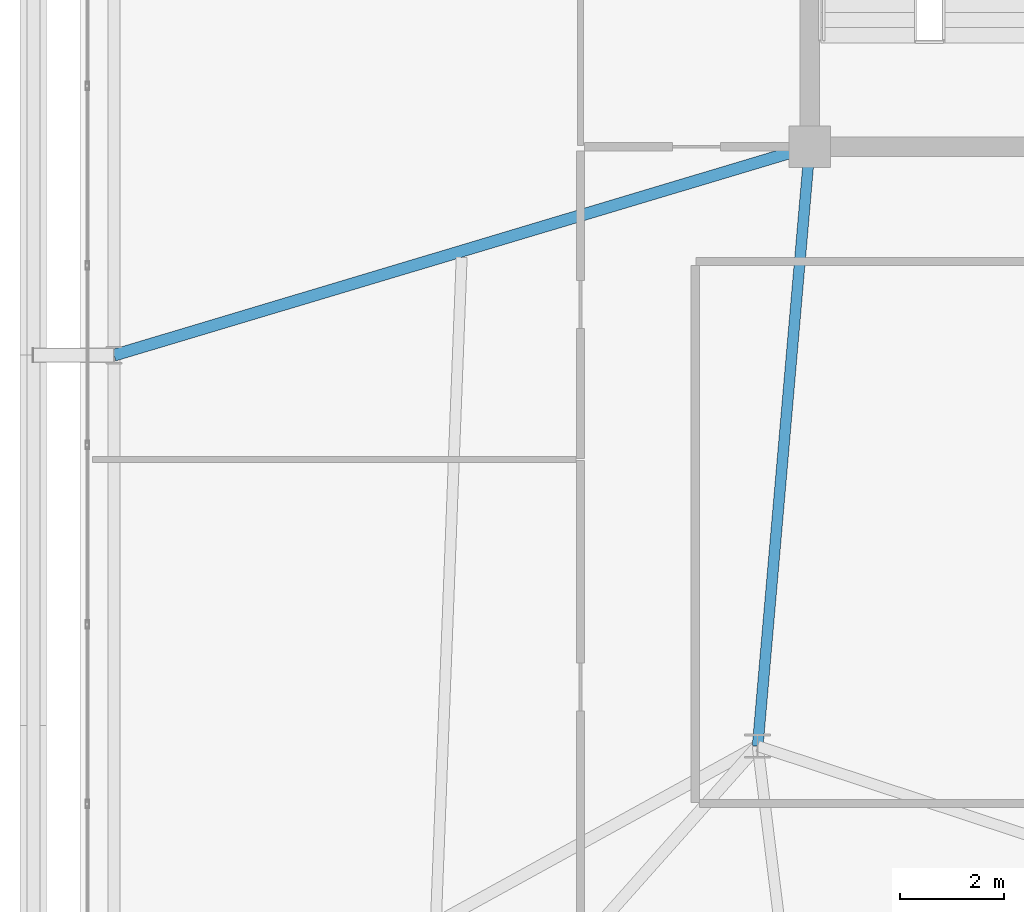
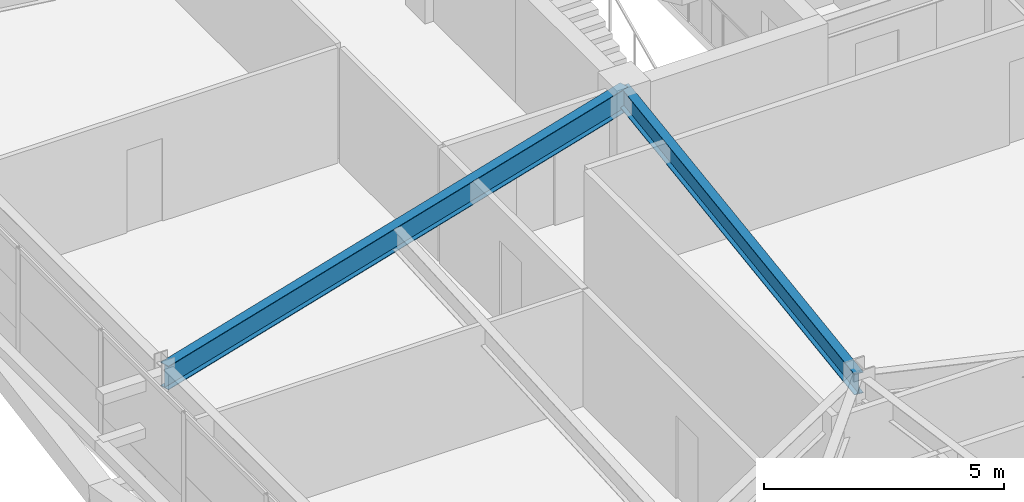
# One storey, part 15 of 58: 2 beams.
"""IFC4 building model written with IfcOpenShell, lengths in metres."""

from ifc_helpers import new_model, si_unit, direction, frame, origin, origin_2d, place, context, subcontext, project, spatial, i_section, extrude, source, transform, mapped, material, material_profile, profile_set, type_object, element, save


model = new_model("IFC4")

# Units and contexts
model_context = context("Model", 3, precision=1e-05, world=origin(), true_north=direction((0.0, 1.0)))
body_context = subcontext(model_context, "Body", "Model", "MODEL_VIEW")
ifc_project = project(units=[si_unit("LENGTHUNIT", "METRE"), si_unit("AREAUNIT", "SQUARE_METRE"), si_unit("VOLUMEUNIT", "CUBIC_METRE"), si_unit("PLANEANGLEUNIT", "RADIAN"), si_unit("MASSUNIT", "GRAM", prefix="KILO")], contexts=[model_context])

# Site, building, storey
site_placement = place(None, origin())
site = spatial("IfcSite", under=ifc_project, at=site_placement, CompositionType="ELEMENT")
building_placement = place(site_placement, origin())
building = spatial("IfcBuilding", under=site, at=building_placement, Name="Taldren Reach Tower", CompositionType="ELEMENT")
storey_placement = place(building_placement, frame((0.0, 0.0, 51.449951171875)))
storey = spatial("IfcBuildingStorey", under=building, at=storey_placement, Name="L15", CompositionType="ELEMENT", Elevation=51.449951171875)

# Beams
ifc_material = material(Name="Steel Gr 350 (350PLUS)", Category="steel")
ifc_material_profile_1 = material_profile(ifc_material, i_section(OverallWidth=0.208984375, OverallDepth=0.532958984375, WebThickness=0.01025390625, FlangeThickness=0.015625, at=origin_2d()), Name="530UB92.4")
ifc_profile_set_1 = profile_set([ifc_material_profile_1], Name="Steel Gr 350 (350PLUS)")
beam_type_1 = type_object("IfcBeamType", Name="BM-UB530A", PredefinedType="BEAM", material=ifc_profile_set_1)
shared_shape_1 = source(origin(), body_context, "Body", "SweptSolid", [
    extrude(i_section(OverallWidth=0.208984375, OverallDepth=0.532958984375, WebThickness=0.01025390625, FlangeThickness=0.015625, at=origin_2d()), origin(), (0.0, 0.0, 1.0), 11.54345703125),
])
beam_1_placement = place(storey_placement, frame((19.0, 24.0, 2.66357421875), z_axis=(-0.086629616365, -0.996240588196, 0.0), x_axis=(0.996240588196, -0.086629616365, 0.0)))
element("IfcBeam", 1, at=beam_1_placement, inside=storey, type_object=beam_type_1, Name="Core-spine girder L15-SP09", PredefinedType="BEAM", context=body_context, shape_type="MappedRepresentation", body=[
    mapped(shared_shape_1, transform((0.0, 0.0, 0.0), scale=1.0)),
])
ifc_material_profile_2 = material_profile(ifc_material, i_section(OverallWidth=0.22802734375, OverallDepth=0.60205078125, WebThickness=0.010498046875, FlangeThickness=0.014892578125, at=origin_2d()), Name="610UB101")
ifc_profile_set_2 = profile_set([ifc_material_profile_2], Name="Steel Gr 350 (350PLUS)")
beam_type_2 = type_object("IfcBeamType", Name="BM-UB610B", PredefinedType="BEAM", material=ifc_profile_set_2)
shared_shape_2 = source(origin(), body_context, "Body", "SweptSolid", [
    extrude(i_section(OverallWidth=0.22802734375, OverallDepth=0.60205078125, WebThickness=0.010498046875, FlangeThickness=0.014892578125, at=origin_2d()), origin(), (0.0, 0.0, 1.0), 13.9365234375),
])
beam_2_placement = place(storey_placement, frame((19.0, 24.0, 2.629150390625), z_axis=(-0.957925550891, -0.287016792104, 0.0), x_axis=(0.287016792104, -0.957925550891, 0.0)))
element("IfcBeam", 2, at=beam_2_placement, inside=storey, type_object=beam_type_2, Name="Primary floor girder B1-W2 L15", PredefinedType="BEAM", context=body_context, shape_type="MappedRepresentation", body=[
    mapped(shared_shape_2, transform((0.0, 0.0, 0.0), scale=1.0)),
])

save(model, "model.ifc")
